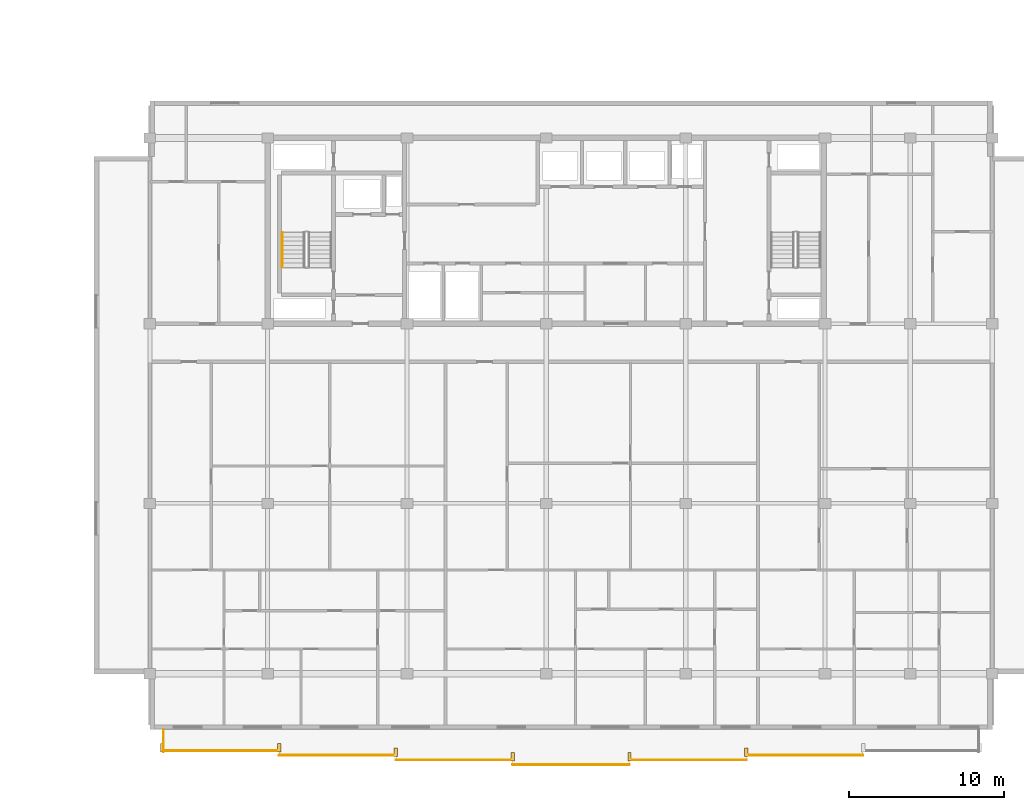
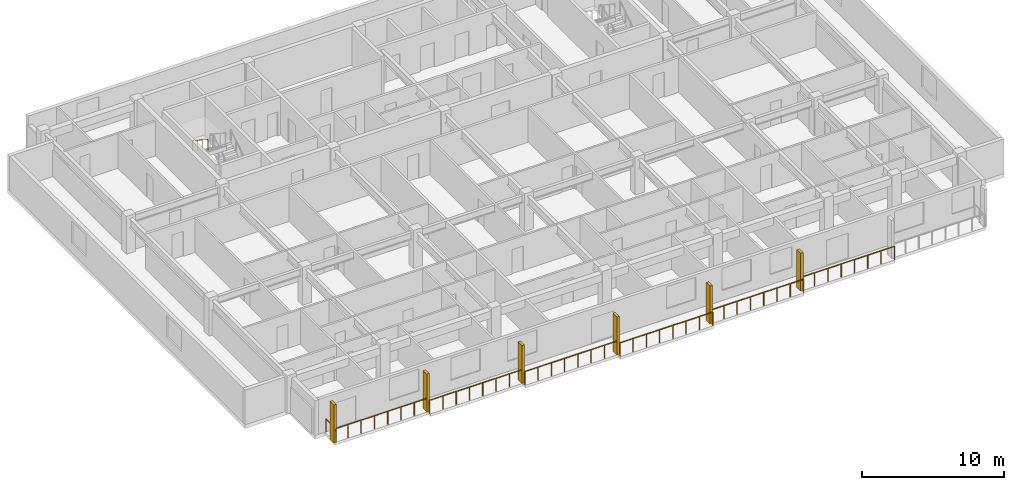
# One storey, part 19 of 23: 8 railings, 6 shading devices.
"""IFC4 building model written with IfcOpenShell, lengths in metres."""

from ifc_helpers import new_model, si_unit, direction, frame, origin, origin_2d, place, context, subcontext, project, spatial, rectangle, circle, extrude, material, type_object, element, save


model = new_model("IFC4")

# Units and contexts
model_context = context("Model", 3, precision=1e-05, world=origin(), true_north=direction((0.0, 1.0)))
body_context = subcontext(model_context, "Body", "Model", "MODEL_VIEW")
ifc_project = project(units=[si_unit("LENGTHUNIT", "METRE"), si_unit("AREAUNIT", "SQUARE_METRE"), si_unit("VOLUMEUNIT", "CUBIC_METRE"), si_unit("PLANEANGLEUNIT", "RADIAN"), si_unit("MASSUNIT", "GRAM", prefix="KILO")], contexts=[model_context])

# Site, building, storey
site_placement = place(None, origin())
site = spatial("IfcSite", under=ifc_project, at=site_placement, CompositionType="ELEMENT")
building_placement = place(site_placement, origin())
building = spatial("IfcBuilding", under=site, at=building_placement, Name="Korimba Cascade Residences", CompositionType="ELEMENT")
storey_placement = place(building_placement, frame((0.0, 0.0, 162.10009765625)))
storey = spatial("IfcBuildingStorey", under=building, at=storey_placement, Name="L46", CompositionType="ELEMENT", Elevation=162.10009765625)

# Railings
ifc_material_1 = material(Name="Laminated Glass and Bronze Balustrade", Category="glass")
railing_type_1 = type_object("IfcRailingType", Name="RLG-LOG-1150", PredefinedType="BALUSTRADE", material=ifc_material_1)
railing_1_placement = place(storey_placement, frame((75.300048828125, -9.169921875, 0.0)))
element("IfcRailing", 1, at=railing_1_placement, inside=storey, type_object=railing_type_1, Name="L46 Perimeter Guardrail RLG-L46-T2-LOG-01", PredefinedType="BALUSTRADE", context=body_context, shape_type="SweptSolid", body=[
    extrude(circle(Radius=0.02392578125, at=origin_2d()), frame((0.0, 0.0, 1.1259765625), z_axis=(1.0, 0.0, 0.0), x_axis=(0.0, 1.0, 0.0)), (0.0, 0.0, 1.0), 7.54296875),
    extrude(circle(Radius=0.02099609375, at=origin_2d()), origin(), (0.0, 0.0, 1.0), 1.101806640625),
    extrude(circle(Radius=0.02099609375, at=origin_2d()), frame((1.07763671875, 0.0, 0.0)), (0.0, 0.0, 1.0), 1.101806640625),
    extrude(circle(Radius=0.02099609375, at=origin_2d()), frame((2.155029296875, 0.0, 0.0)), (0.0, 0.0, 1.0), 1.101806640625),
    extrude(circle(Radius=0.02099609375, at=origin_2d()), frame((3.232666015625, 0.0, 0.0)), (0.0, 0.0, 1.0), 1.101806640625),
    extrude(circle(Radius=0.02099609375, at=origin_2d()), frame((4.310302734375, 0.0, 0.0)), (0.0, 0.0, 1.0), 1.101806640625),
    extrude(circle(Radius=0.02099609375, at=origin_2d()), frame((5.387939453125, 0.0, 0.0)), (0.0, 0.0, 1.0), 1.101806640625),
    extrude(circle(Radius=0.02099609375, at=origin_2d()), frame((6.46533203125, 0.0, 0.0)), (0.0, 0.0, 1.0), 1.101806640625),
    extrude(circle(Radius=0.02099609375, at=origin_2d()), frame((7.54296875, 0.0, 0.0)), (0.0, 0.0, 1.0), 1.101806640625),
])
railing_2_placement = place(storey_placement, frame((82.843017578125, -9.469970703125, 0.0)))
element("IfcRailing", 2, at=railing_2_placement, inside=storey, type_object=railing_type_1, Name="L46 Perimeter Guardrail RLG-L46-T2-LOG-02", PredefinedType="BALUSTRADE", context=body_context, shape_type="SweptSolid", body=[
    extrude(circle(Radius=0.02392578125, at=origin_2d()), frame((0.0, 0.0, 1.1259765625), z_axis=(1.0, 0.0, 0.0), x_axis=(0.0, 1.0, 0.0)), (0.0, 0.0, 1.0), 7.542724609375),
    extrude(circle(Radius=0.02099609375, at=origin_2d()), origin(), (0.0, 0.0, 1.0), 1.101806640625),
    extrude(circle(Radius=0.02099609375, at=origin_2d()), frame((1.07763671875, 0.0, 0.0)), (0.0, 0.0, 1.0), 1.101806640625),
    extrude(circle(Radius=0.02099609375, at=origin_2d()), frame((2.155029296875, 0.0, 0.0)), (0.0, 0.0, 1.0), 1.101806640625),
    extrude(circle(Radius=0.02099609375, at=origin_2d()), frame((3.232666015625, 0.0, 0.0)), (0.0, 0.0, 1.0), 1.101806640625),
    extrude(circle(Radius=0.02099609375, at=origin_2d()), frame((4.31005859375, 0.0, 0.0)), (0.0, 0.0, 1.0), 1.101806640625),
    extrude(circle(Radius=0.02099609375, at=origin_2d()), frame((5.3876953125, 0.0, 0.0)), (0.0, 0.0, 1.0), 1.101806640625),
    extrude(circle(Radius=0.02099609375, at=origin_2d()), frame((6.465087890625, 0.0, 0.0)), (0.0, 0.0, 1.0), 1.101806640625),
    extrude(circle(Radius=0.02099609375, at=origin_2d()), frame((7.542724609375, 0.0, 0.0)), (0.0, 0.0, 1.0), 1.101806640625),
])
railing_3_placement = place(storey_placement, frame((90.3857421875, -9.77001953125, 0.0)))
element("IfcRailing", 3, at=railing_3_placement, inside=storey, type_object=railing_type_1, Name="L46 Perimeter Guardrail RLG-L46-T2-LOG-03", PredefinedType="BALUSTRADE", context=body_context, shape_type="SweptSolid", body=[
    extrude(circle(Radius=0.02392578125, at=origin_2d()), frame((0.0, 0.0, 1.1259765625), z_axis=(1.0, 0.0, 0.0), x_axis=(0.0, 1.0, 0.0)), (0.0, 0.0, 1.0), 7.54296875),
    extrude(circle(Radius=0.02099609375, at=origin_2d()), origin(), (0.0, 0.0, 1.0), 1.101806640625),
    extrude(circle(Radius=0.02099609375, at=origin_2d()), frame((1.07763671875, 0.0, 0.0)), (0.0, 0.0, 1.0), 1.101806640625),
    extrude(circle(Radius=0.02099609375, at=origin_2d()), frame((2.155029296875, 0.0, 0.0)), (0.0, 0.0, 1.0), 1.101806640625),
    extrude(circle(Radius=0.02099609375, at=origin_2d()), frame((3.232666015625, 0.0, 0.0)), (0.0, 0.0, 1.0), 1.101806640625),
    extrude(circle(Radius=0.02099609375, at=origin_2d()), frame((4.310302734375, 0.0, 0.0)), (0.0, 0.0, 1.0), 1.101806640625),
    extrude(circle(Radius=0.02099609375, at=origin_2d()), frame((5.387939453125, 0.0, 0.0)), (0.0, 0.0, 1.0), 1.101806640625),
    extrude(circle(Radius=0.02099609375, at=origin_2d()), frame((6.46533203125, 0.0, 0.0)), (0.0, 0.0, 1.0), 1.101806640625),
    extrude(circle(Radius=0.02099609375, at=origin_2d()), frame((7.54296875, 0.0, 0.0)), (0.0, 0.0, 1.0), 1.101806640625),
])
railing_4_placement = place(storey_placement, frame((97.9287109375, -10.070068359375, 0.0)))
element("IfcRailing", 4, at=railing_4_placement, inside=storey, type_object=railing_type_1, Name="L46 Perimeter Guardrail RLG-L46-T2-LOG-04", PredefinedType="BALUSTRADE", context=body_context, shape_type="SweptSolid", body=[
    extrude(circle(Radius=0.02392578125, at=origin_2d()), frame((0.0, 0.0, 1.1259765625), z_axis=(1.0, 0.0, 0.0), x_axis=(0.0, 1.0, 0.0)), (0.0, 0.0, 1.0), 7.542724609375),
    extrude(circle(Radius=0.02099609375, at=origin_2d()), origin(), (0.0, 0.0, 1.0), 1.101806640625),
    extrude(circle(Radius=0.02099609375, at=origin_2d()), frame((1.07763671875, 0.0, 0.0)), (0.0, 0.0, 1.0), 1.101806640625),
    extrude(circle(Radius=0.02099609375, at=origin_2d()), frame((2.155029296875, 0.0, 0.0)), (0.0, 0.0, 1.0), 1.101806640625),
    extrude(circle(Radius=0.02099609375, at=origin_2d()), frame((3.232666015625, 0.0, 0.0)), (0.0, 0.0, 1.0), 1.101806640625),
    extrude(circle(Radius=0.02099609375, at=origin_2d()), frame((4.31005859375, 0.0, 0.0)), (0.0, 0.0, 1.0), 1.101806640625),
    extrude(circle(Radius=0.02099609375, at=origin_2d()), frame((5.3876953125, 0.0, 0.0)), (0.0, 0.0, 1.0), 1.101806640625),
    extrude(circle(Radius=0.02099609375, at=origin_2d()), frame((6.465087890625, 0.0, 0.0)), (0.0, 0.0, 1.0), 1.101806640625),
    extrude(circle(Radius=0.02099609375, at=origin_2d()), frame((7.542724609375, 0.0, 0.0)), (0.0, 0.0, 1.0), 1.101806640625),
])
railing_5_placement = place(storey_placement, frame((105.471435546875, -9.77001953125, 0.0)))
element("IfcRailing", 5, at=railing_5_placement, inside=storey, type_object=railing_type_1, Name="L46 Perimeter Guardrail RLG-L46-T2-LOG-05", PredefinedType="BALUSTRADE", context=body_context, shape_type="SweptSolid", body=[
    extrude(circle(Radius=0.02392578125, at=origin_2d()), frame((0.0, 0.0, 1.1259765625), z_axis=(1.0, 0.0, 0.0), x_axis=(0.0, 1.0, 0.0)), (0.0, 0.0, 1.0), 7.54296875),
    extrude(circle(Radius=0.02099609375, at=origin_2d()), origin(), (0.0, 0.0, 1.0), 1.101806640625),
    extrude(circle(Radius=0.02099609375, at=origin_2d()), frame((1.07763671875, 0.0, 0.0)), (0.0, 0.0, 1.0), 1.101806640625),
    extrude(circle(Radius=0.02099609375, at=origin_2d()), frame((2.155029296875, 0.0, 0.0)), (0.0, 0.0, 1.0), 1.101806640625),
    extrude(circle(Radius=0.02099609375, at=origin_2d()), frame((3.232666015625, 0.0, 0.0)), (0.0, 0.0, 1.0), 1.101806640625),
    extrude(circle(Radius=0.02099609375, at=origin_2d()), frame((4.310302734375, 0.0, 0.0)), (0.0, 0.0, 1.0), 1.101806640625),
    extrude(circle(Radius=0.02099609375, at=origin_2d()), frame((5.387939453125, 0.0, 0.0)), (0.0, 0.0, 1.0), 1.101806640625),
    extrude(circle(Radius=0.02099609375, at=origin_2d()), frame((6.46533203125, 0.0, 0.0)), (0.0, 0.0, 1.0), 1.101806640625),
    extrude(circle(Radius=0.02099609375, at=origin_2d()), frame((7.54296875, 0.0, 0.0)), (0.0, 0.0, 1.0), 1.101806640625),
])
railing_6_placement = place(storey_placement, frame((113.014404296875, -9.469970703125, 0.0)))
element("IfcRailing", 6, at=railing_6_placement, inside=storey, type_object=railing_type_1, Name="L46 Perimeter Guardrail RLG-L46-T2-LOG-06", PredefinedType="BALUSTRADE", context=body_context, shape_type="SweptSolid", body=[
    extrude(circle(Radius=0.02392578125, at=origin_2d()), frame((0.0, 0.0, 1.1259765625), z_axis=(1.0, 0.0, 0.0), x_axis=(0.0, 1.0, 0.0)), (0.0, 0.0, 1.0), 7.542724609375),
    extrude(circle(Radius=0.02099609375, at=origin_2d()), origin(), (0.0, 0.0, 1.0), 1.101806640625),
    extrude(circle(Radius=0.02099609375, at=origin_2d()), frame((1.07763671875, 0.0, 0.0)), (0.0, 0.0, 1.0), 1.101806640625),
    extrude(circle(Radius=0.02099609375, at=origin_2d()), frame((2.155029296875, 0.0, 0.0)), (0.0, 0.0, 1.0), 1.101806640625),
    extrude(circle(Radius=0.02099609375, at=origin_2d()), frame((3.232666015625, 0.0, 0.0)), (0.0, 0.0, 1.0), 1.101806640625),
    extrude(circle(Radius=0.02099609375, at=origin_2d()), frame((4.31005859375, 0.0, 0.0)), (0.0, 0.0, 1.0), 1.101806640625),
    extrude(circle(Radius=0.02099609375, at=origin_2d()), frame((5.3876953125, 0.0, 0.0)), (0.0, 0.0, 1.0), 1.101806640625),
    extrude(circle(Radius=0.02099609375, at=origin_2d()), frame((6.465087890625, 0.0, 0.0)), (0.0, 0.0, 1.0), 1.101806640625),
    extrude(circle(Radius=0.02099609375, at=origin_2d()), frame((7.542724609375, 0.0, 0.0)), (0.0, 0.0, 1.0), 1.101806640625),
])
railing_7_placement = place(storey_placement, frame((75.3798828125, -7.800048828125, 0.0)))
element("IfcRailing", 7, at=railing_7_placement, inside=storey, type_object=railing_type_1, Name="L46 Perimeter Guardrail RLG-L46-T2-LOG-09", PredefinedType="BALUSTRADE", context=body_context, shape_type="SweptSolid", body=[
    extrude(circle(Radius=0.02392578125, at=origin_2d()), frame((0.0, 0.0, 1.1259765625), z_axis=(0.0, -1.0, 0.0), x_axis=(1.0, 0.0, 0.0)), (0.0, 0.0, 1.0), 1.449951171875),
    extrude(circle(Radius=0.02099609375, at=origin_2d()), origin(), (0.0, 0.0, 1.0), 1.101806640625),
    extrude(circle(Radius=0.02099609375, at=origin_2d()), frame((0.0, -0.72509765625, 0.0)), (0.0, 0.0, 1.0), 1.101806640625),
    extrude(circle(Radius=0.02099609375, at=origin_2d()), frame((0.0, -1.449951171875, 0.0)), (0.0, 0.0, 1.0), 1.101806640625),
])
ifc_material_2 = material(Name="Brushed Stainless Steel Handrail", Category="steel")
railing_type_2 = type_object("IfcRailingType", Name="RLG-ST-HR900", PredefinedType="HANDRAIL", material=ifc_material_2)
railing_8_placement = place(storey_placement, frame((83.050048828125, 24.2900390625, 1.98974609375)))
element("IfcRailing", 8, at=railing_8_placement, inside=storey, type_object=railing_type_2, Name="L46 ST-E1 stair handrail 2", PredefinedType="HANDRAIL", context=body_context, shape_type="SweptSolid", body=[
    extrude(circle(Radius=0.02392578125, at=origin_2d()), frame((0.0, 0.0, 0.8759765625), z_axis=(0.0, -0.840394893359, 0.541974559565), x_axis=(1.0, 0.0, 0.0)), (0.0, 0.0, 1.0), 2.665283203125),
    extrude(circle(Radius=0.02099609375, at=origin_2d()), origin(), (0.0, 0.0, 1.0), 0.851806640625),
    extrude(circle(Radius=0.02099609375, at=origin_2d()), frame((0.0, -0.74658203125, 0.4814453125)), (0.0, 0.0, 1.0), 0.851806640625),
    extrude(circle(Radius=0.02099609375, at=origin_2d()), frame((0.0, -1.493408203125, 0.963134765625)), (0.0, 0.0, 1.0), 0.851806640625),
    extrude(circle(Radius=0.02099609375, at=origin_2d()), frame((0.0, -2.239990234375, 1.444580078125)), (0.0, 0.0, 1.0), 0.851806640625),
])

# Shading devices
ifc_material_3 = material(Name="Honed Sandstone Precast Fin", Category="masonry")
shading_device_type = type_object("IfcShadingDeviceType", Name="SHD-FIN-550", PredefinedType="USERDEFINED", material=ifc_material_3)
for number, where, z_axis, x_axis, name in (
    (9, (75.300048828125, -8.97509765625, 0.0), (0.0, 0.0, 1.0), (1.0, 0.0, 0.0), "L46 T2 Warm-Stone Loggia Fin 1"),
    (10, (82.843017578125, -8.97509765625, 0.0), (0.0, 0.0, 1.0), (1.0, 0.0, 0.0), "L46 T2 Warm-Stone Loggia Fin 2"),
    (11, (90.3857421875, -9.27490234375, 0.0), (0.0, 0.0, 1.0), (1.0, 0.0, 0.0), "L46 T2 Warm-Stone Loggia Fin 3"),
    (12, (97.9287109375, -9.574951171875, 0.0), (0.0, 0.0, 1.0), (1.0, 0.0, 0.0), "L46 T2 Warm-Stone Loggia Fin 4"),
    (13, (105.471435546875, -9.574951171875, 0.0), (0.0, 0.0, 1.0), (1.0, 0.0, 0.0), "L46 T2 Warm-Stone Loggia Fin 5"),
    (14, (113.014404296875, -9.27490234375, 0.0), (0.0, 0.0, 1.0), (1.0, 0.0, 0.0), "L46 T2 Warm-Stone Loggia Fin 6"),
):
    element("IfcShadingDevice", number, at=place(storey_placement, frame(where, z_axis=z_axis, x_axis=x_axis)), inside=storey, type_object=shading_device_type, Name=name, ObjectType="FIN", PredefinedType="USERDEFINED", context=body_context, shape_type="SweptSolid", body=[
        extrude(rectangle(XDim=0.219970703125, YDim=0.550048828125, at=origin_2d()), origin(), (0.0, 0.0, 1.0), 3.25),
    ])

save(model, "model.ifc")
